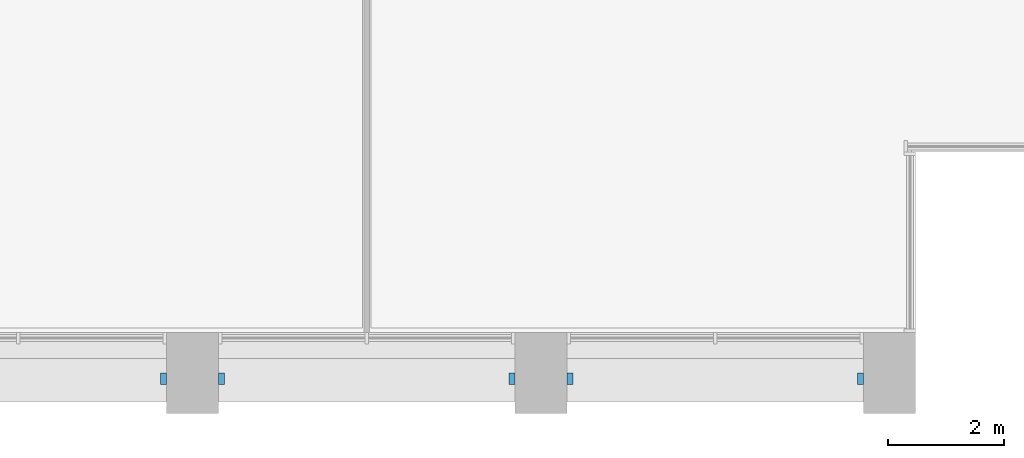
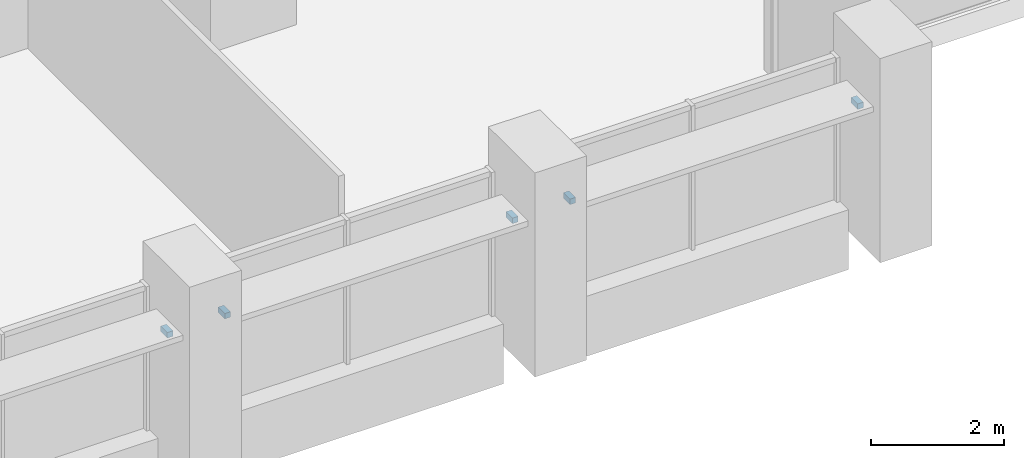
# One storey, part 16 of 18: 5 discrete accessories.
"""IFC4 building model written with IfcOpenShell, lengths in metres."""

from ifc_helpers import new_model, si_unit, direction, frame, origin, origin_2d, place, context, subcontext, project, spatial, rectangle, extrude, element, save


model = new_model("IFC4")

# Units and contexts
model_context = context("Model", 3, precision=1e-05, world=origin(), true_north=direction((0.0, 1.0)))
body_context = subcontext(model_context, "Body", "Model", "MODEL_VIEW")
ifc_project = project(units=[si_unit("LENGTHUNIT", "METRE"), si_unit("AREAUNIT", "SQUARE_METRE"), si_unit("VOLUMEUNIT", "CUBIC_METRE"), si_unit("PLANEANGLEUNIT", "RADIAN"), si_unit("MASSUNIT", "GRAM", prefix="KILO")], contexts=[model_context])

# Site, building, storey
site_placement = place(None, origin())
site = spatial("IfcSite", under=ifc_project, at=site_placement, CompositionType="ELEMENT")
building_placement = place(site_placement, origin())
building = spatial("IfcBuilding", under=site, at=building_placement, Name="Calvaro Tower", CompositionType="ELEMENT")
storey_placement = place(building_placement, frame((0.0, 0.0, 78.75)))
storey = spatial("IfcBuildingStorey", under=building, at=storey_placement, Name="L19", CompositionType="ELEMENT", Elevation=78.75)

# Discrete accessories
for number, where, z_axis, x_axis, name in (
    (1, (59.5, 0.60009765625, 2.14990234375), (0.0, 0.0, 1.0), (1.0, 0.0, 0.0), "Brise-soleil bracket"),
    (2, (60.5, 0.60009765625, 2.14990234375), (0.0, 0.0, 1.0), (1.0, 0.0, 0.0), "Brise-soleil bracket"),
    (3, (65.5, 0.60009765625, 2.14990234375), (0.0, 0.0, 1.0), (1.0, 0.0, 0.0), "Brise-soleil bracket"),
    (4, (66.5, 0.60009765625, 2.14990234375), (0.0, 0.0, 1.0), (1.0, 0.0, 0.0), "Brise-soleil bracket"),
    (5, (71.5, 0.60009765625, 2.14990234375), (0.0, 0.0, 1.0), (1.0, 0.0, 0.0), "Brise-soleil bracket"),
):
    element("IfcDiscreteAccessory", number, at=place(storey_placement, frame(where, z_axis=z_axis, x_axis=x_axis)), inside=storey, Name=name, PredefinedType="BRACKET", context=body_context, shape_type="SweptSolid", body=[
        extrude(rectangle(XDim=0.10009765625, YDim=0.199951171875, at=origin_2d()), origin(), (0.0, 0.0, 1.0), 0.10009765625),
    ])

save(model, "model.ifc")
